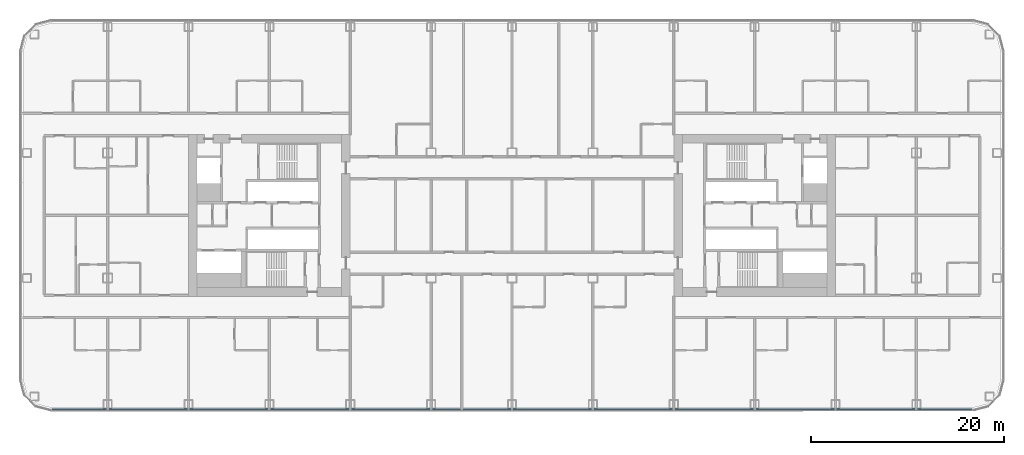
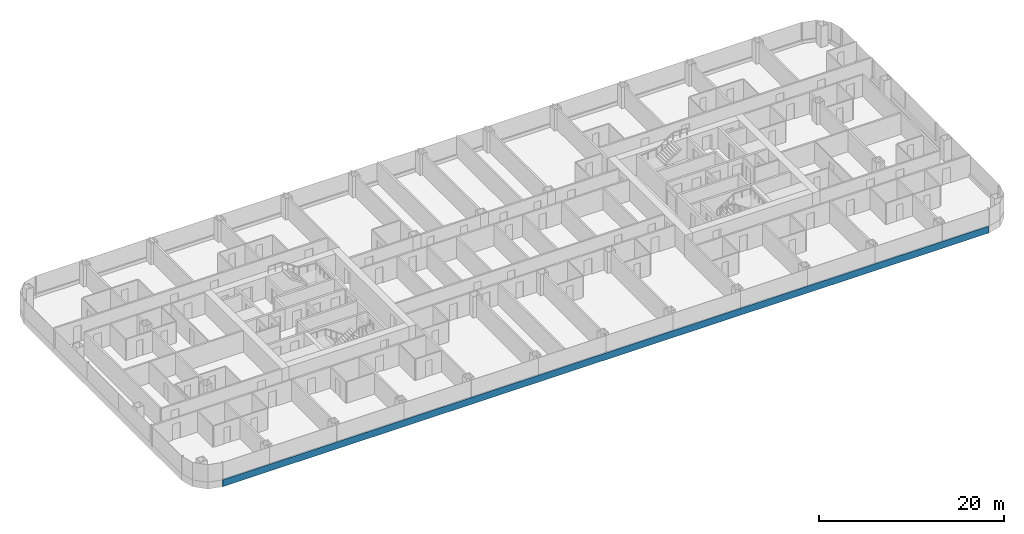
# One storey, part 5 of 28: 1 member, 1 element without a shape of its own.
"""IFC4 building model written with IfcOpenShell, lengths in metres."""

from ifc_helpers import new_model, si_unit, direction, frame, origin, origin_2d, place, context, subcontext, project, spatial, rectangle, extrude, material, layer, layer_set, material_profile, profile_set, type_object, element, aggregate, save


model = new_model("IFC4")

# Units and contexts
model_context = context("Model", 3, precision=1e-05, world=origin(), true_north=direction((0.0, 1.0)))
body_context = subcontext(model_context, "Body", "Model", "MODEL_VIEW")
ifc_project = project(units=[si_unit("LENGTHUNIT", "METRE"), si_unit("AREAUNIT", "SQUARE_METRE"), si_unit("VOLUMEUNIT", "CUBIC_METRE"), si_unit("PLANEANGLEUNIT", "RADIAN"), si_unit("MASSUNIT", "GRAM", prefix="KILO")], contexts=[model_context])

# Site, building, storey
site_placement = place(None, origin())
site = spatial("IfcSite", under=ifc_project, at=site_placement, CompositionType="ELEMENT")
building_placement = place(site_placement, origin())
building = spatial("IfcBuilding", under=site, at=building_placement, Name="Hakoniwa Tower and Hamabe Station Hall", CompositionType="ELEMENT")
storey_placement = place(building_placement, frame((0.0, 0.0, 35.800048828125)))
storey = spatial("IfcBuildingStorey", under=building, at=storey_placement, Name="L09", CompositionType="ELEMENT", Elevation=35.800048828125)

# Curtain wall, member
ifc_material_1 = material(Name="Dark low-e laminated glass", Category="glass")
ifc_layer = layer(ifc_material_1, 0.199951171875)
ifc_layer_set = layer_set([ifc_layer], Name="CW-1 UNITISED GUEST")
curtain_wall_type = type_object("IfcCurtainWallType", Name="CW-1 UNITISED GUEST", PredefinedType="NOTDEFINED", material=ifc_layer_set)
curtain_wall_placement = place(storey_placement, origin())
curtain_wall = element("IfcCurtainWall", 1, at=curtain_wall_placement, inside=storey, type_object=curtain_wall_type, Name="CW-1 curtain wall", PredefinedType="NOTDEFINED")
ifc_material_2 = material(Name="Aluminium 6063-T5 black anodised", Category="aluminium")
ifc_material_profile = material_profile(ifc_material_2, rectangle(XDim=0.199951171875, YDim=0.89990234375, at=origin_2d()), Name="CW SLAB-EDGE BAND 900X200")
ifc_profile_set = profile_set([ifc_material_profile], Name="Aluminium 6063-T5 black anodised")
member_type = type_object("IfcMemberType", Name="CW SLAB-EDGE BAND 900X200", PredefinedType="USERDEFINED", material=ifc_profile_set)
member_placement = place(storey_placement, frame((-47.839599609375, -20.199951171875, -0.10009765625), z_axis=(1.0, 0.0, 0.0), x_axis=(0.0, 1.0, 0.0)))
member = element("IfcMember", 2, at=member_placement, type_object=member_type, Name="CW-1 transom", ObjectType="TRANSOM", PredefinedType="USERDEFINED", context=body_context, shape_type="SweptSolid", body=[
    extrude(rectangle(XDim=0.199951171875, YDim=0.89990234375, at=origin_2d()), origin(), (0.0, 0.0, 1.0), 95.67919921875),
])
aggregate(curtain_wall, [member])

save(model, "model.ifc")
